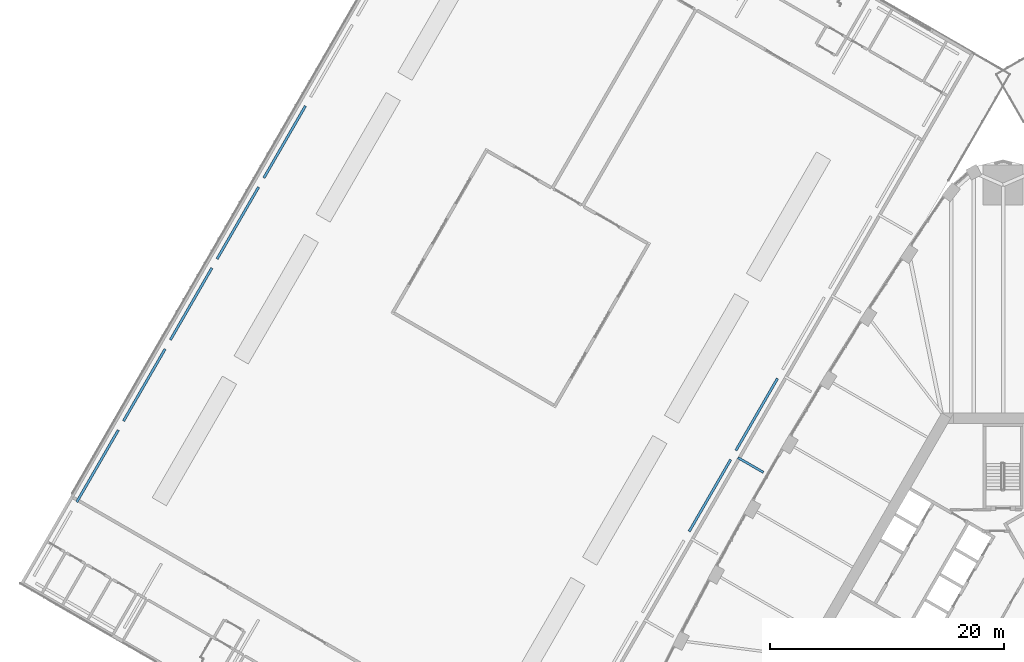
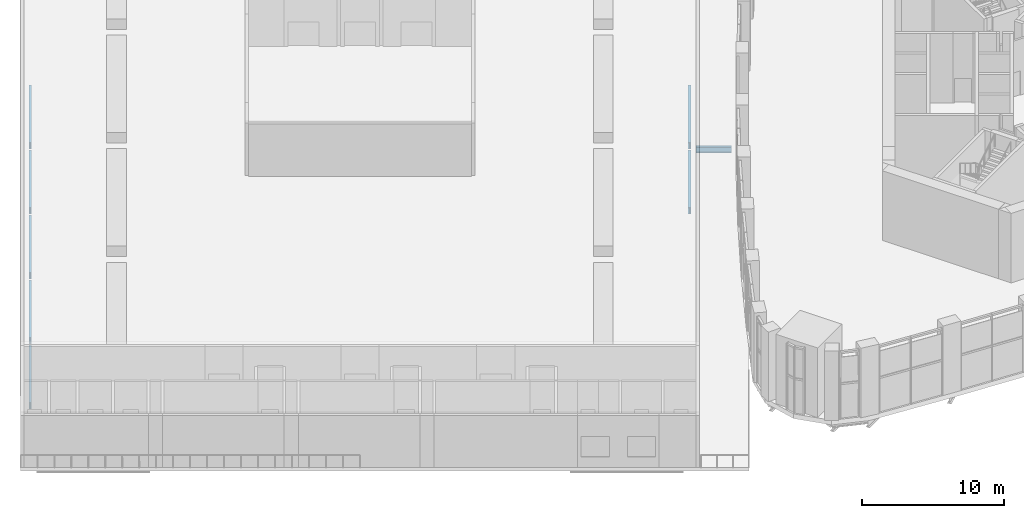
# One storey, part 4 of 41: 8 beams.
"""IFC4 building model written with IfcOpenShell, lengths in metres."""

from ifc_helpers import new_model, si_unit, direction, frame, origin, origin_2d, place, context, subcontext, project, spatial, i_section, extrude, material, material_profile, profile_set, type_object, element, save


model = new_model("IFC4")

# Units and contexts
model_context = context("Model", 3, precision=1e-05, world=origin(), true_north=direction((0.0, 1.0)))
body_context = subcontext(model_context, "Body", "Model", "MODEL_VIEW")
ifc_project = project(units=[si_unit("LENGTHUNIT", "METRE"), si_unit("AREAUNIT", "SQUARE_METRE"), si_unit("VOLUMEUNIT", "CUBIC_METRE"), si_unit("PLANEANGLEUNIT", "RADIAN"), si_unit("MASSUNIT", "GRAM", prefix="KILO")], contexts=[model_context])

# Site, building, storey
site_placement = place(None, origin())
site = spatial("IfcSite", under=ifc_project, at=site_placement, CompositionType="ELEMENT")
building_placement = place(site_placement, origin())
building = spatial("IfcBuilding", under=site, at=building_placement, Name="Mestral Congress Tower", CompositionType="ELEMENT")
storey_placement = place(building_placement, frame((0.0, 0.0, 21.60009765625)))
storey = spatial("IfcBuildingStorey", under=building, at=storey_placement, Name="L04", CompositionType="ELEMENT", Elevation=21.60009765625)

# Beams
ifc_material = material(Name="Steel S355", Category="steel")
ifc_material_profile_1 = material_profile(ifc_material, i_section(OverallWidth=0.199951171875, OverallDepth=0.5, WebThickness=0.01025390625, FlangeThickness=0.01611328125, FilletRadius=0.02099609375, at=origin_2d()), Name="IPE 500")
ifc_profile_set_1 = profile_set([ifc_material_profile_1], Name="Steel S355")
beam_type_1 = type_object("IfcBeamType", Name="Floor beam IPE 500 S355", PredefinedType="BEAM", material=ifc_profile_set_1)
beam_1_placement = place(storey_placement, frame((-22.6708984375, 13.089111328125, -0.550048828125), z_axis=(0.866006140796, -0.500033362991, 0.0), x_axis=(0.500033362991, 0.866006140796, 0.0)))
element("IfcBeam", 1, at=beam_1_placement, inside=storey, type_object=beam_type_1, Name="BM-L04-W-K06", PredefinedType="BEAM", context=body_context, shape_type="SweptSolid", body=[
    extrude(i_section(OverallWidth=0.199951171875, OverallDepth=0.5, WebThickness=0.01025390625, FlangeThickness=0.01611328125, FilletRadius=0.02099609375, at=origin_2d()), origin(), (0.0, 0.0, 1.0), 2.514892578125),
])
ifc_material_profile_2 = material_profile(ifc_material, i_section(OverallWidth=0.2099609375, OverallDepth=0.550048828125, WebThickness=0.010986328125, FlangeThickness=0.01708984375, FilletRadius=0.02392578125, at=origin_2d()), Name="IPE 550")
ifc_profile_set_2 = profile_set([ifc_material_profile_2], Name="Steel S355")
beam_type_2 = type_object("IfcBeamType", Name="Floor beam IPE 550 S355", PredefinedType="BEAM", material=ifc_profile_set_2)
for number, where, z_axis, x_axis, name in (
    (2, (-19.285400390625, 19.8525390625, -0.5751953125), (-0.499996289485, -0.866027546041, 0.0), (0.866027546041, -0.499996289485, 0.0), "BM-L04-W-U05A"),
    (3, (-23.285400390625, 12.92431640625, -0.5751953125), (-0.499996289485, -0.866027546041, 0.0), (0.866027546041, -0.499996289485, 0.0), "BM-L04-W-U06A"),
    (4, (-59.642333984375, 43.152587890625, -0.5751953125), (-0.499996289485, -0.866027546041, 0.0), (0.866027546041, -0.499996289485, 0.0), "BM-L04-W-U05F"),
    (5, (-63.642333984375, 36.224365234375, -0.5751953125), (-0.499996289485, -0.866027546041, 0.0), (0.866027546041, -0.499996289485, 0.0), "BM-L04-W-U06F"),
    (6, (-67.642333984375, 29.296142578125, -0.5751953125), (-0.499996289485, -0.866027546041, 0.0), (0.866027546041, -0.499996289485, 0.0), "BM-L04-W-U07F"),
    (7, (-71.642333984375, 22.367919921875, -0.5751953125), (-0.499996289485, -0.866027546041, 0.0), (0.866027546041, -0.499996289485, 0.0), "BM-L04-W-U08F"),
):
    element("IfcBeam", number, at=place(storey_placement, frame(where, z_axis=z_axis, x_axis=x_axis)), inside=storey, type_object=beam_type_2, Name=name, PredefinedType="BEAM", context=body_context, shape_type="SweptSolid", body=[
        extrude(i_section(OverallWidth=0.2099609375, OverallDepth=0.550048828125, WebThickness=0.010986328125, FlangeThickness=0.01708984375, FilletRadius=0.02392578125, at=origin_2d()), origin(), (0.0, 0.0, 1.0), 7.10009765625),
    ])
beam_2_placement = place(storey_placement, frame((-75.642333984375, 15.439697265625, -0.5751953125), z_axis=(-0.500011179042, -0.866018949465, 0.0), x_axis=(0.866018949465, -0.500011179042, 0.0)))
element("IfcBeam", 8, at=beam_2_placement, inside=storey, type_object=beam_type_2, Name="BM-L04-W-U09F", PredefinedType="BEAM", context=body_context, shape_type="SweptSolid", body=[
    extrude(i_section(OverallWidth=0.2099609375, OverallDepth=0.550048828125, WebThickness=0.010986328125, FlangeThickness=0.01708984375, FilletRadius=0.02392578125, at=origin_2d()), origin(), (0.0, 0.0, 1.0), 7.099853515625),
])

save(model, "model.ifc")
